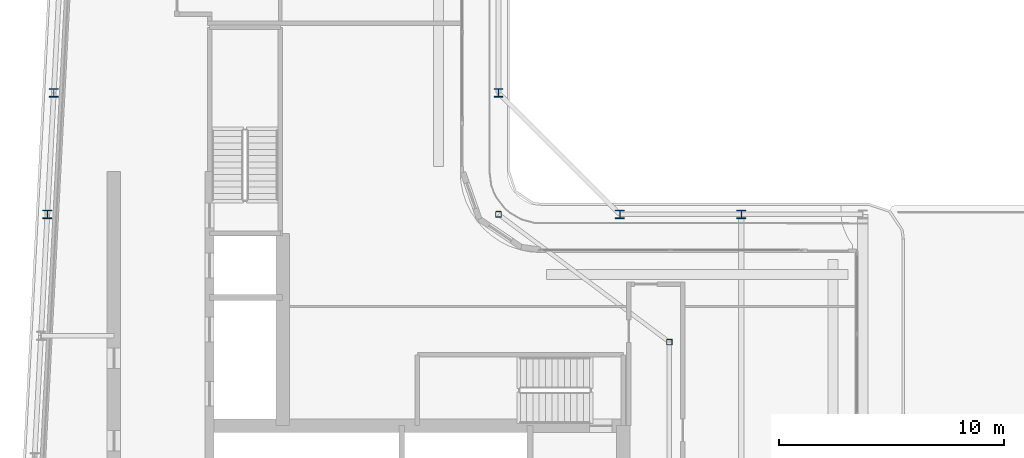
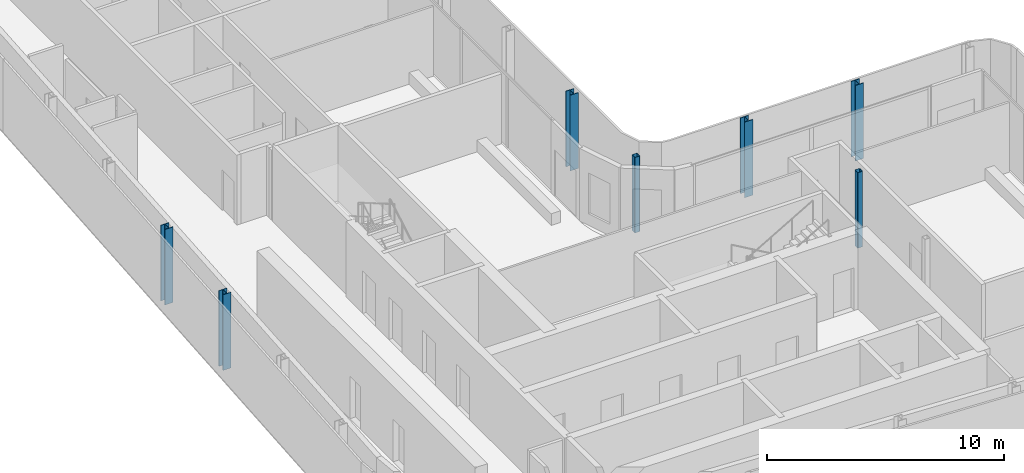
# One storey, part 2 of 22: 7 columns.
"""IFC4 building model written with IfcOpenShell, lengths in metres."""

from ifc_helpers import new_model, si_unit, direction, frame, origin, origin_2d, place, context, subcontext, project, spatial, hollow_rectangle, i_section, extrude, material, material_profile, profile_set, type_object, element, save


model = new_model("IFC4")

# Units and contexts
model_context = context("Model", 3, precision=1e-05, world=origin(), true_north=direction((0.0, 1.0)))
body_context = subcontext(model_context, "Body", "Model", "MODEL_VIEW")
ifc_project = project(units=[si_unit("LENGTHUNIT", "METRE"), si_unit("AREAUNIT", "SQUARE_METRE"), si_unit("VOLUMEUNIT", "CUBIC_METRE"), si_unit("PLANEANGLEUNIT", "RADIAN"), si_unit("MASSUNIT", "GRAM", prefix="KILO")], contexts=[model_context])

# Site, building, storey
site_placement = place(None, origin())
site = spatial("IfcSite", under=ifc_project, at=site_placement, CompositionType="ELEMENT")
building_placement = place(site_placement, origin())
building = spatial("IfcBuilding", under=site, at=building_placement, Name="Kheshtan School and Residences Tower", CompositionType="ELEMENT")
storey_placement = place(building_placement, frame((0.0, 0.0, 274.699951171875)))
storey = spatial("IfcBuildingStorey", under=building, at=storey_placement, Name="L64", CompositionType="ELEMENT", Elevation=274.699951171875)

# Columns
ifc_material_1 = material(Name="Steel ASTM A992 Grade 50", Category="steel")
ifc_material_profile_1 = material_profile(ifc_material_1, i_section(OverallWidth=0.39501953125, OverallDepth=0.3798828125, WebThickness=0.018798828125, FlangeThickness=0.0302734375, FilletRadius=0.011474609375, at=origin_2d()), Name="W360x237")
ifc_profile_set_1 = profile_set([ifc_material_profile_1], Name="Steel ASTM A992 Grade 50")
column_type_1 = type_object("IfcColumnType", Name="Column C5 W360x237 ASTM A992 Grade 50", PredefinedType="COLUMN", material=ifc_profile_set_1)
for number, where, z_axis, x_axis, name in (
    (1, (27.537109375, 45.60009765625, 0.0), (0.0, 0.0, 1.0), (1.0, 0.0, 0.0), "Column C059"),
    (2, (53.0, 45.60009765625, 0.0), (0.0, 0.0, 1.0), (1.0, 0.0, 0.0), "Column C061"),
    (3, (58.39990234375, 45.60009765625, 0.0), (0.0, 0.0, 1.0), (1.0, 0.0, 0.0), "Column C062"),
    (4, (27.822021484375, 51.0, 0.0), (0.0, 0.0, 1.0), (1.0, 0.0, 0.0), "Column C078"),
    (5, (47.60009765625, 51.0, 0.0), (0.0, 0.0, 1.0), (1.0, 0.0, 0.0), "Column C079"),
):
    element("IfcColumn", number, at=place(storey_placement, frame(where, z_axis=z_axis, x_axis=x_axis)), inside=storey, type_object=column_type_1, Name=name, PredefinedType="COLUMN", context=body_context, shape_type="SweptSolid", body=[
        extrude(i_section(OverallWidth=0.39501953125, OverallDepth=0.3798828125, WebThickness=0.018798828125, FlangeThickness=0.0302734375, FilletRadius=0.011474609375, at=origin_2d()), origin(), (0.0, 0.0, 1.0), 3.900146484375),
    ])
ifc_material_2 = material(Name="Steel ASTM A500 Grade C", Category="steel")
ifc_material_profile_2 = material_profile(ifc_material_2, hollow_rectangle(XDim=0.25390625, YDim=0.25390625, WallThickness=0.0126953125, InnerFilletRadius=0.0126953125, OuterFilletRadius=0.025390625, at=origin_2d()), Name="HSS 254x254x12.7")
ifc_profile_set_2 = profile_set([ifc_material_profile_2], Name="Steel ASTM A500 Grade C")
column_type_2 = type_object("IfcColumnType", Name="Column IC3 HSS 254x254x12.7 ASTM A500 Grade C", PredefinedType="COLUMN", material=ifc_profile_set_2)
for number, where, z_axis, x_axis, name in (
    (6, (55.199951171875, 39.916015625, 0.0), (0.0, 0.0, 1.0), (1.0, 0.0, 0.0), "Column C055"),
    (7, (47.60009765625, 45.60009765625, 0.0), (0.0, 0.0, 1.0), (1.0, 0.0, 0.0), "Column C060"),
):
    element("IfcColumn", number, at=place(storey_placement, frame(where, z_axis=z_axis, x_axis=x_axis)), inside=storey, type_object=column_type_2, Name=name, PredefinedType="COLUMN", context=body_context, shape_type="SweptSolid", body=[
        extrude(hollow_rectangle(XDim=0.25390625, YDim=0.25390625, WallThickness=0.0126953125, InnerFilletRadius=0.0126953125, OuterFilletRadius=0.025390625, at=origin_2d()), origin(), (0.0, 0.0, 1.0), 3.900146484375),
    ])

save(model, "model.ifc")
